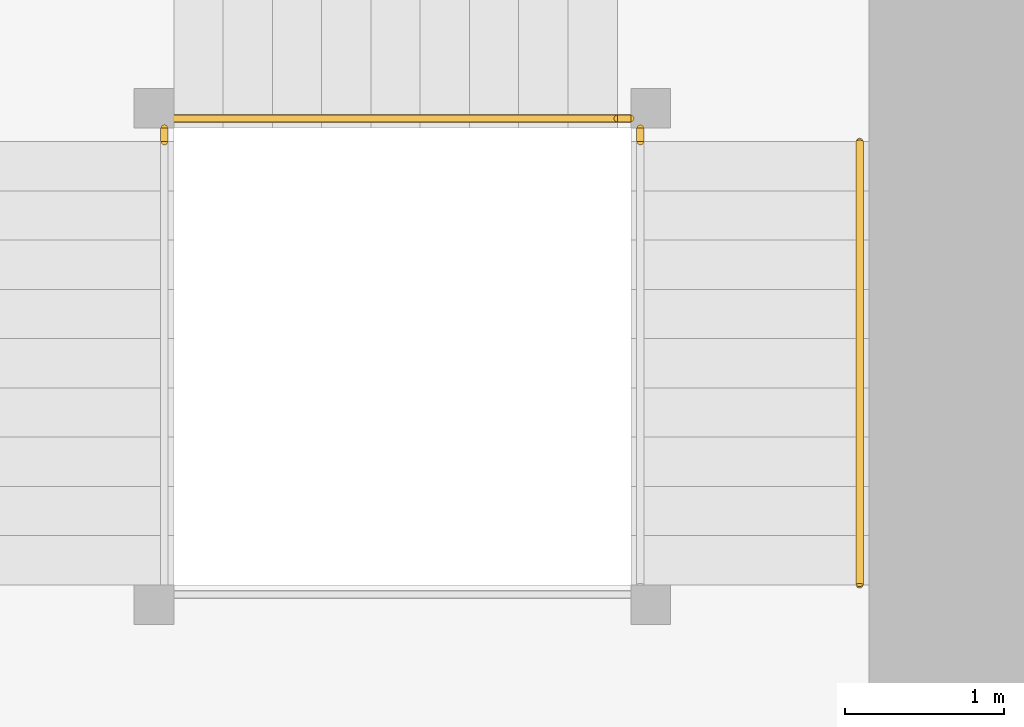
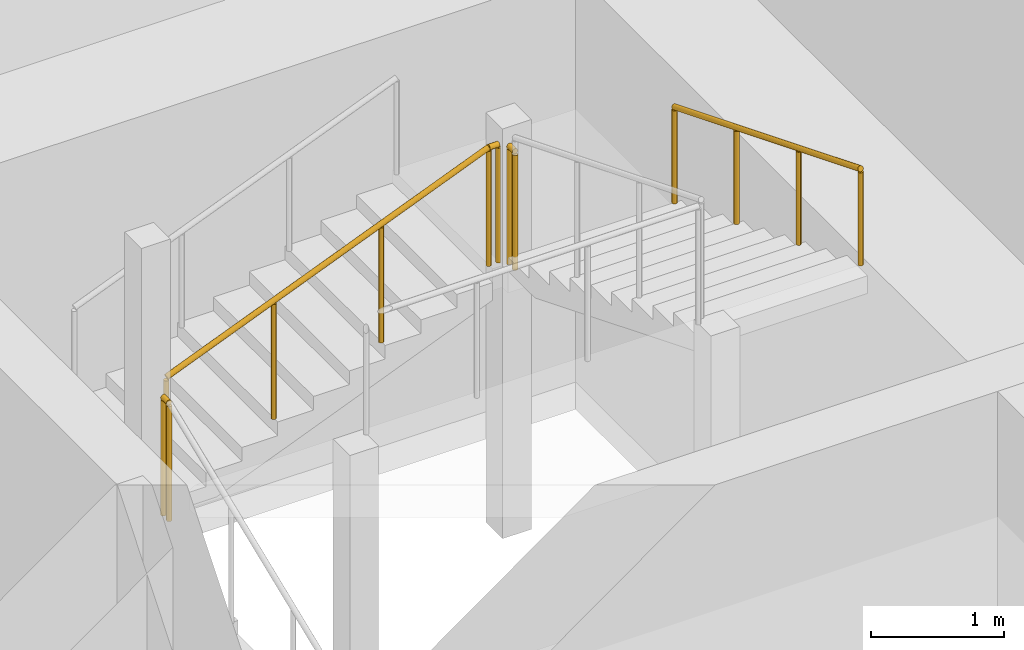
# One storey, part 39 of 40: 5 railings.
"""IFC4 building model written with IfcOpenShell, lengths in metres."""

from ifc_helpers import new_model, si_unit, direction, frame, origin, origin_2d, place, context, subcontext, project, spatial, circle, extrude, material, type_object, element, save


model = new_model("IFC4")

# Units and contexts
model_context = context("Model", 3, precision=1e-05, world=origin(), true_north=direction((0.0, 1.0)))
body_context = subcontext(model_context, "Body", "Model", "MODEL_VIEW")
ifc_project = project(units=[si_unit("LENGTHUNIT", "METRE"), si_unit("AREAUNIT", "SQUARE_METRE"), si_unit("VOLUMEUNIT", "CUBIC_METRE"), si_unit("PLANEANGLEUNIT", "RADIAN"), si_unit("MASSUNIT", "GRAM", prefix="KILO")], contexts=[model_context])

# Site, building, storey
site_placement = place(None, origin())
site = spatial("IfcSite", under=ifc_project, at=site_placement, CompositionType="ELEMENT")
building_placement = place(site_placement, origin())
building = spatial("IfcBuilding", under=site, at=building_placement, Name="Rekha Terrace Tower", CompositionType="ELEMENT")
storey_placement = place(building_placement, frame((0.0, 0.0, 99.050048828125)))
storey = spatial("IfcBuildingStorey", under=building, at=storey_placement, Name="L24", CompositionType="ELEMENT", Elevation=99.050048828125)

# Railings
ifc_material_1 = material(Name="Stainless steel balustrade", Category="steel")
railing_type_1 = type_object("IfcRailingType", Name="GR1 1100 stair guard", PredefinedType="GUARDRAIL", material=ifc_material_1)
railing_1_placement = place(storey_placement, frame((45.52490234375, 44.260009765625, 1.375)))
element("IfcRailing", 1, at=railing_1_placement, inside=storey, type_object=railing_type_1, Name="Guard ST2 L24 flight 2", PredefinedType="GUARDRAIL", context=body_context, shape_type="SweptSolid", body=[
    extrude(circle(Radius=0.02392578125, at=origin_2d()), frame((0.0, 0.0, 1.076171875), z_axis=(0.927443287984, 0.0, 0.373963831907), x_axis=(0.0, 1.0, 0.0)), (0.0, 0.0, 1.0), 3.00830078125),
    extrude(circle(Radius=0.02099609375, at=origin_2d()), origin(), (0.0, 0.0, 1.0), 1.052001953125),
    extrude(circle(Radius=0.02099609375, at=origin_2d()), frame((0.929931640625, 0.0, 0.375)), (0.0, 0.0, 1.0), 1.052001953125),
    extrude(circle(Radius=0.02099609375, at=origin_2d()), frame((1.860107421875, 0.0, 0.75)), (0.0, 0.0, 1.0), 1.052001953125),
    extrude(circle(Radius=0.02099609375, at=origin_2d()), frame((2.7900390625, 0.0, 1.125)), (0.0, 0.0, 1.0), 1.052001953125),
])
railing_2_placement = place(storey_placement, frame((45.465087890625, 44.114990234375, 1.25)))
element("IfcRailing", 2, at=railing_2_placement, inside=storey, type_object=railing_type_1, Name="Guard ST2 L24 landing 1", PredefinedType="GUARDRAIL", context=body_context, shape_type="SweptSolid", body=[
    extrude(circle(Radius=0.02392578125, at=origin_2d()), frame((0.0, 0.0, 1.076171875), z_axis=(0.0, 1.0, 0.0), x_axis=(-1.0, 0.0, 0.0)), (0.0, 0.0, 1.0), 0.0849609375),
    extrude(circle(Radius=0.02099609375, at=origin_2d()), origin(), (0.0, 0.0, 1.0), 1.052001953125),
    extrude(circle(Radius=0.02099609375, at=origin_2d()), frame((0.0, 0.0849609375, 0.0)), (0.0, 0.0, 1.0), 1.052001953125),
])
railing_3_placement = place(storey_placement, frame((48.31494140625, 44.260009765625, 2.5)))
element("IfcRailing", 3, at=railing_3_placement, inside=storey, type_object=railing_type_1, Name="Guard ST2 L24 landing 2", PredefinedType="GUARDRAIL", context=body_context, shape_type="SweptSolid", body=[
    extrude(circle(Radius=0.02392578125, at=origin_2d()), frame((0.0, 0.0, 1.076171875), z_axis=(1.0, 0.0, 0.0), x_axis=(0.0, 1.0, 0.0)), (0.0, 0.0, 1.0), 0.0849609375),
    extrude(circle(Radius=0.02099609375, at=origin_2d()), origin(), (0.0, 0.0, 1.0), 1.052001953125),
    extrude(circle(Radius=0.02099609375, at=origin_2d()), frame((0.0849609375, 0.0, 0.0)), (0.0, 0.0, 1.0), 1.052001953125),
])
railing_4_placement = place(storey_placement, frame((48.4599609375, 44.114990234375, 2.5)))
element("IfcRailing", 4, at=railing_4_placement, inside=storey, type_object=railing_type_1, Name="Guard ST2 L24 landing 3", PredefinedType="GUARDRAIL", context=body_context, shape_type="SweptSolid", body=[
    extrude(circle(Radius=0.02392578125, at=origin_2d()), frame((0.0, 0.0, 1.076171875), z_axis=(0.0, 1.0, 0.0), x_axis=(-1.0, 0.0, 0.0)), (0.0, 0.0, 1.0), 0.0849609375),
    extrude(circle(Radius=0.02099609375, at=origin_2d()), origin(), (0.0, 0.0, 1.0), 1.052001953125),
    extrude(circle(Radius=0.02099609375, at=origin_2d()), frame((0.0, 0.0849609375, 0.0)), (0.0, 0.0, 1.0), 1.052001953125),
])
ifc_material_2 = material(Name="Stainless steel tube", Category="steel")
railing_type_2 = type_object("IfcRailingType", Name="HR1 900 stair handrail", PredefinedType="HANDRAIL", material=ifc_material_2)
railing_5_placement = place(storey_placement, frame((49.840087890625, 44.114990234375, 2.625)))
element("IfcRailing", 5, at=railing_5_placement, inside=storey, type_object=railing_type_2, Name="Handrail ST2 L24 flight 3", PredefinedType="HANDRAIL", context=body_context, shape_type="SweptSolid", body=[
    extrude(circle(Radius=0.02392578125, at=origin_2d()), frame((0.0, 0.0, 0.8759765625), z_axis=(0.0, -0.927443287984, 0.373963831907), x_axis=(1.0, 0.0, 0.0)), (0.0, 0.0, 1.0), 3.00830078125),
    extrude(circle(Radius=0.02099609375, at=origin_2d()), origin(), (0.0, 0.0, 1.0), 0.851806640625),
    extrude(circle(Radius=0.02099609375, at=origin_2d()), frame((0.0, -0.929931640625, 0.375)), (0.0, 0.0, 1.0), 0.851806640625),
    extrude(circle(Radius=0.02099609375, at=origin_2d()), frame((0.0, -1.860107421875, 0.75)), (0.0, 0.0, 1.0), 0.851806640625),
    extrude(circle(Radius=0.02099609375, at=origin_2d()), frame((0.0, -2.7900390625, 1.125)), (0.0, 0.0, 1.0), 0.851806640625),
])

save(model, "model.ifc")
